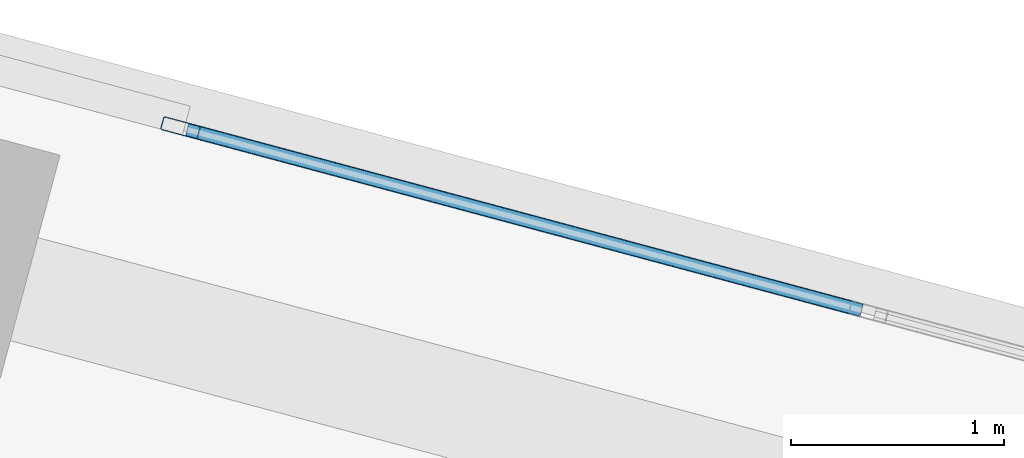
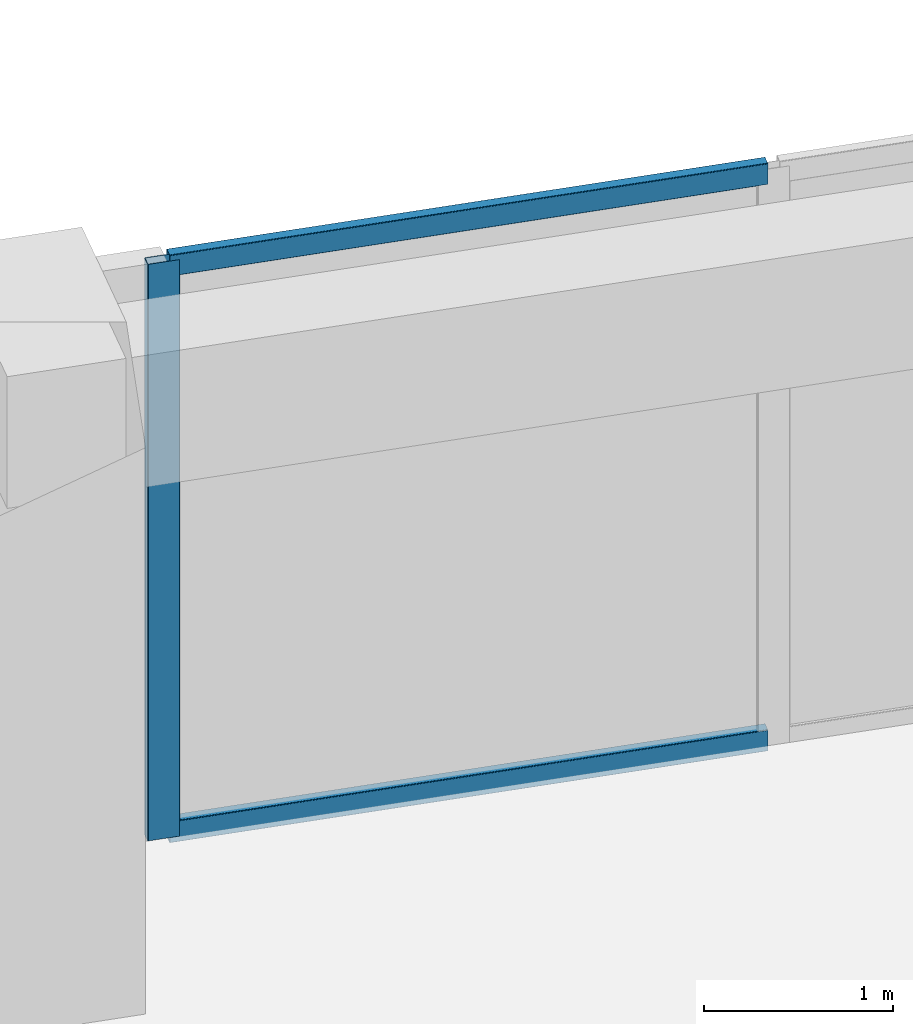
# One storey, part 15 of 26: 3 members, 1 element without a shape of its own.
"""IFC4 building model written with IfcOpenShell, lengths in metres."""

from ifc_helpers import new_model, si_unit, direction, frame, origin, origin_2d, place, context, subcontext, project, spatial, hollow_rectangle, extrude, source, transform, mapped, material, material_profile, profile_set, type_object, element, aggregate, save


model = new_model("IFC4")

# Units and contexts
model_context = context("Model", 3, precision=1e-05, world=origin(), true_north=direction((0.0, 1.0)))
body_context = subcontext(model_context, "Body", "Model", "MODEL_VIEW")
ifc_project = project(units=[si_unit("LENGTHUNIT", "METRE"), si_unit("AREAUNIT", "SQUARE_METRE"), si_unit("VOLUMEUNIT", "CUBIC_METRE"), si_unit("PLANEANGLEUNIT", "RADIAN"), si_unit("MASSUNIT", "GRAM", prefix="KILO")], contexts=[model_context])

# Site, building, storey
site_placement = place(None, origin())
site = spatial("IfcSite", under=ifc_project, at=site_placement, CompositionType="ELEMENT")
building_placement = place(site_placement, origin())
building = spatial("IfcBuilding", under=site, at=building_placement, Name="Torre Montelarca", CompositionType="ELEMENT")
storey_placement = place(building_placement, frame((0.0, 0.0, 100.0)))
storey = spatial("IfcBuildingStorey", under=building, at=storey_placement, Name="L22", CompositionType="ELEMENT", Elevation=100.0)

# Curtain wall, members
ifc_material_1 = material(Name="Insulated low-E laminated glass", Category="glass")
curtain_wall_type = type_object("IfcCurtainWallType", Name="CW-SYS-Z1", PredefinedType="USERDEFINED", material=ifc_material_1)
curtain_wall_placement = place(storey_placement, origin())
curtain_wall = element("IfcCurtainWall", 1, at=curtain_wall_placement, inside=storey, type_object=curtain_wall_type, Name="L22 Curtain Wall Run CW-T3-L22-E08-B4", ObjectType="UNITISED GLAZING", PredefinedType="USERDEFINED")
ifc_material_2 = material(Name="Anodised aluminium AA 6063-T6", Category="aluminium")
ifc_material_profile_1 = material_profile(ifc_material_2, hollow_rectangle(XDim=0.06494140625, YDim=0.139892578125, WallThickness=0.00390625, InnerFilletRadius=0.00390625, OuterFilletRadius=0.008056640625, at=origin_2d()), Name="ALU65X140X4", Category="aluminium")
ifc_profile_set_1 = profile_set([ifc_material_profile_1], Name="Anodised aluminium AA 6063-T6")
member_type_1 = type_object("IfcMemberType", Name="CWT-ALU140", PredefinedType="USERDEFINED", material=ifc_profile_set_1)
shared_shape_1 = source(origin(), body_context, "Body", "SweptSolid", [
    extrude(hollow_rectangle(XDim=0.06494140625, YDim=0.139892578125, WallThickness=0.00390625, InnerFilletRadius=0.00390625, OuterFilletRadius=0.008056640625, at=origin_2d()), origin(), (0.0, 0.0, 1.0), 3.2724609375),
])
member_1_placement = place(storey_placement, frame((17.900390625, 49.6015625, 0.032470703125), z_axis=(-0.965928403786, 0.258809425561, 0.0), x_axis=(-0.258809425561, -0.965928403786, 0.0)))
member_1 = element("IfcMember", 2, at=member_1_placement, type_object=member_type_1, Name="CW transom 2.1", ObjectType="TRANSOM", PredefinedType="USERDEFINED", context=body_context, shape_type="MappedRepresentation", body=[
    mapped(shared_shape_1, transform((0.0, 0.0, 0.0), scale=1.0)),
])
member_2_placement = place(storey_placement, frame((17.900390625, 49.6015625, 3.6875), z_axis=(-0.965928403786, 0.258809425561, 0.0), x_axis=(-0.258809425561, -0.965928403786, 0.0)))
member_2 = element("IfcMember", 3, at=member_2_placement, type_object=member_type_1, Name="CW transom 2.2", ObjectType="TRANSOM", PredefinedType="USERDEFINED", context=body_context, shape_type="MappedRepresentation", body=[
    mapped(shared_shape_1, transform((0.0, 0.0, 0.0), scale=1.0)),
])
ifc_material_profile_2 = material_profile(ifc_material_2, hollow_rectangle(XDim=0.06494140625, YDim=0.179931640625, WallThickness=0.00390625, InnerFilletRadius=0.00390625, OuterFilletRadius=0.008056640625, at=origin_2d()), Name="ALU65X180X4", Category="aluminium")
ifc_profile_set_2 = profile_set([ifc_material_profile_2], Name="Anodised aluminium AA 6063-T6")
member_type_2 = type_object("IfcMemberType", Name="CWM-ALU180", PredefinedType="MULLION", material=ifc_profile_set_2)
shared_shape_2 = source(origin(), body_context, "Body", "SweptSolid", [
    extrude(hollow_rectangle(XDim=0.06494140625, YDim=0.179931640625, WallThickness=0.00390625, InnerFilletRadius=0.00390625, OuterFilletRadius=0.008056640625, at=origin_2d()), origin(), (0.0, 0.0, 1.0), 3.719970703125),
])
member_3_placement = place(storey_placement, frame((14.7080078125, 50.456787109375, 0.0), z_axis=(0.0, 0.0, 1.0), x_axis=(-0.258825077437, -0.96592420991, 0.0)))
member_3 = element("IfcMember", 4, at=member_3_placement, type_object=member_type_2, Name="CW mullion 3", PredefinedType="MULLION", context=body_context, shape_type="MappedRepresentation", body=[
    mapped(shared_shape_2, transform((0.0, 0.0, 0.0), scale=1.0)),
])
aggregate(curtain_wall, [member_3, member_1, member_2])

save(model, "model.ifc")
